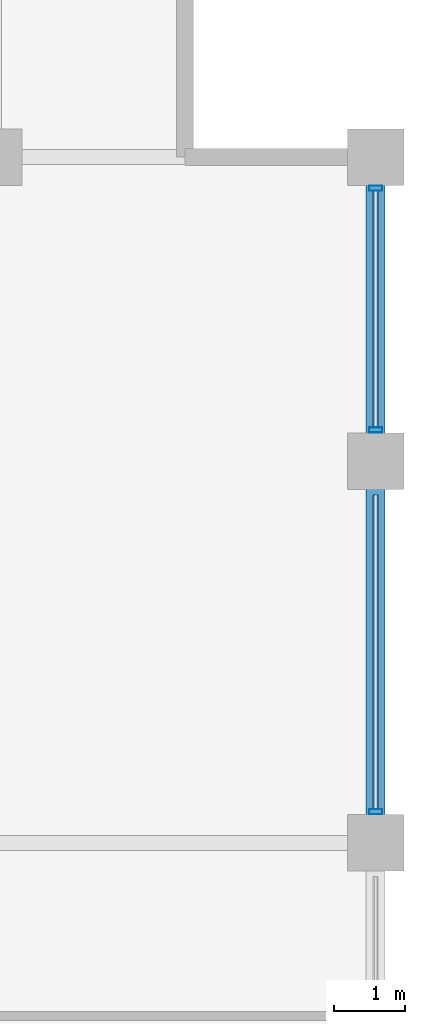
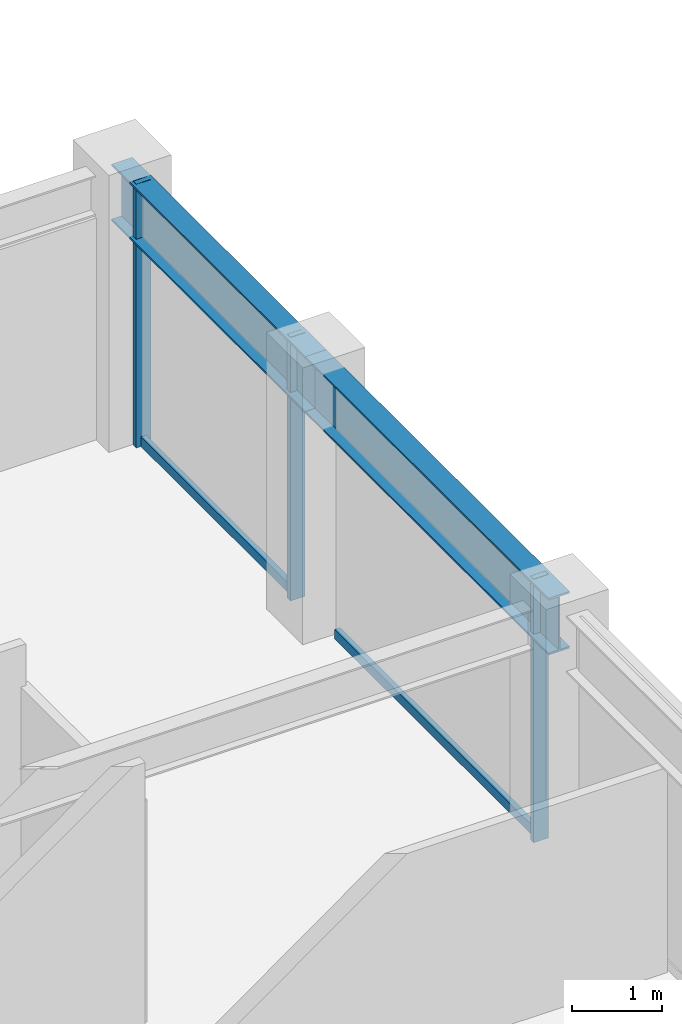
# One storey, part 25 of 32: 5 members, 2 beams, 1 element without a shape of its own.
"""IFC4 building model written with IfcOpenShell, lengths in metres."""

import ifcopenshell
import ifcopenshell.guid

model = None  # the IFC model being written
_history = None  # IfcOwnerHistory: only IFC2X3 demands one
_inside = {}  # id of a spatial element -> (the spatial element, [elements in it])
_under = {}  # id of a project, library or spatial element -> (it, [spatial elements below it])
_declared = {}  # id of a project -> (the project, [libraries it declares])
_typed = {}  # id of a type object -> (the type object, [elements of that type])
_made_of = {}  # id of a material, layer set ... -> (it, [elements and type objects made of it])


def new_model(schema):
    """Start an empty IFC model of exactly this schema.

    Asked for "IFC4X3", IfcOpenShell would pick the latest addendum, in which some entities
    have other attributes; the version numbers below select the first issue.
    IFC2X3 requires an IfcOwnerHistory on every rooted entity: one is made here for all.
    """
    global model, _history
    if schema == "IFC4X3":
        model = ifcopenshell.file(schema_version=(4, 3, 0, 0))
    else:
        model = ifcopenshell.file(schema=schema)
    _inside.clear()
    _under.clear()
    _declared.clear()
    _typed.clear()
    _made_of.clear()
    _history = None
    if model.schema == "IFC2X3":
        org = make("IfcOrganization", Name="unknown")
        user = make(
            "IfcPersonAndOrganization",
            ThePerson=make("IfcPerson", FamilyName="unknown"),
            TheOrganization=org,
        )
        app = make(
            "IfcApplication",
            ApplicationDeveloper=org,
            Version="unknown",
            ApplicationFullName="unknown",
            ApplicationIdentifier="unknown",
        )
        _history = make(
            "IfcOwnerHistory",
            OwningUser=user,
            OwningApplication=app,
            ChangeAction="ADDED",
            CreationDate=0,
        )
    return model


def make(cls, **values):
    """One entity of the class cls with the attributes given. An attribute that is None is left unset."""
    return model.create_entity(
        cls, **{name: value for name, value in values.items() if value is not None}
    )


def rooted(cls, **values):
    """An entity with a GlobalId (a new one), such as an element, a storey or a relation."""
    return make(cls, GlobalId=ifcopenshell.guid.new(), OwnerHistory=_history, **values)


def si_unit(unit_type, name, prefix=None):
    """IfcSIUnit, for example si_unit("LENGTHUNIT", "METRE", prefix="MILLI")."""
    return make("IfcSIUnit", UnitType=unit_type, Prefix=prefix, Name=name)


def assignment(units):
    """IfcUnitAssignment: the units of a project."""
    return None if units is None else make("IfcUnitAssignment", Units=units)


def point(xyz):
    """IfcCartesianPoint."""
    return None if xyz is None else make("IfcCartesianPoint", Coordinates=xyz)


def direction(xyz):
    """IfcDirection."""
    return None if xyz is None else make("IfcDirection", DirectionRatios=xyz)


def frame(location, z_axis=None, x_axis=None):
    """IfcAxis2Placement3D, a coordinate frame: its origin and axes. An axis left out is left unset."""
    return make(
        "IfcAxis2Placement3D",
        Location=point(location),
        Axis=direction(z_axis),
        RefDirection=direction(x_axis),
    )


def frame_2d(location, x_axis=None):
    """IfcAxis2Placement2D, a coordinate frame in the plane: its origin and x axis."""
    return make(
        "IfcAxis2Placement2D", Location=point(location), RefDirection=direction(x_axis)
    )


def origin():
    """The frame at (0, 0, 0) with its axes left unset."""
    return frame((0.0, 0.0, 0.0))


def origin_2d():
    """The frame at (0, 0) in the plane with its x axis left unset."""
    return frame_2d((0.0, 0.0))


def place(relative_to, where):
    """IfcLocalPlacement: puts the frame where relative to a parent placement (None: the world)."""
    return make(
        "IfcLocalPlacement", PlacementRelTo=relative_to, RelativePlacement=where
    )


def context(
    kind, dimensions, precision=None, world=None, true_north=None, identifier=None
):
    """IfcGeometricRepresentationContext, for example the 3D "Model" context."""
    return make(
        "IfcGeometricRepresentationContext",
        ContextIdentifier=identifier,
        ContextType=kind,
        CoordinateSpaceDimension=dimensions,
        Precision=precision,
        WorldCoordinateSystem=world,
        TrueNorth=true_north,
    )


def subcontext(parent, identifier, kind, view, scale=None):
    """IfcGeometricRepresentationSubContext, for example "Body" below "Model"."""
    return make(
        "IfcGeometricRepresentationSubContext",
        ContextIdentifier=identifier,
        ContextType=kind,
        ParentContext=parent,
        TargetScale=scale,
        TargetView=view,
    )


def project(units=None, contexts=None):
    """IfcProject with its units and contexts."""
    return rooted(
        "IfcProject",
        Name="project",
        RepresentationContexts=contexts,
        UnitsInContext=assignment(units),
    )


def spatial(cls, under=None, at=None, **own):
    """A site, building, storey or space (cls), placed at a placement, below another one or the project."""
    s = rooted(cls, ObjectPlacement=at, **own)
    if under is not None:
        _under.setdefault(under.id(), (under, []))[1].append(s)
    return s


def profile(cls, at=None, kind="AREA", **sizes):
    """A parametric profile (cls). Its sizes go by their IFC names, for example OverallWidth=200.0."""
    return make(cls, ProfileType=kind, Position=at, **sizes)


def hollow_rectangle(**sizes):
    """IfcRectangleHollowProfileDef."""
    return profile("IfcRectangleHollowProfileDef", **sizes)


def i_section(**sizes):
    """IfcIShapeProfileDef."""
    return profile("IfcIShapeProfileDef", **sizes)


def extrude(swept, where, along, depth):
    """IfcExtrudedAreaSolid: the profile swept, set in the frame where, extruded along a direction by depth."""
    return make(
        "IfcExtrudedAreaSolid",
        SweptArea=swept,
        Position=where,
        ExtrudedDirection=direction(along),
        Depth=depth,
    )


def shape(context_of_items, identifier, shape_type, items):
    """IfcShapeRepresentation: the items that make up one representation, for example the "Body"."""
    return make(
        "IfcShapeRepresentation",
        ContextOfItems=context_of_items,
        RepresentationIdentifier=identifier,
        RepresentationType=shape_type,
        Items=items,
    )


def material(Name=None, Category=None):
    """IfcMaterial."""
    return make("IfcMaterial", Name=Name, Category=Category)


def layer(
    of_material, thickness, ventilated=None, Name=None, Category=None, Priority=None
):
    """IfcMaterialLayer: one layer of a wall or slab, of a material (None: an air gap)."""
    return make(
        "IfcMaterialLayer",
        Material=of_material,
        LayerThickness=thickness,
        IsVentilated=ventilated,
        Name=Name,
        Category=Category,
        Priority=Priority,
    )


def layer_set(layers, Name=None):
    """IfcMaterialLayerSet."""
    return make("IfcMaterialLayerSet", MaterialLayers=layers, LayerSetName=Name)


def material_profile(
    of_material, cross_section, Name=None, Category=None, Priority=None
):
    """IfcMaterialProfile: a cross section and its material."""
    return make(
        "IfcMaterialProfile",
        Name=Name,
        Material=of_material,
        Profile=cross_section,
        Priority=Priority,
        Category=Category,
    )


def profile_set(profiles, Name=None, composite=None):
    """IfcMaterialProfileSet."""
    return make(
        "IfcMaterialProfileSet",
        Name=Name,
        MaterialProfiles=profiles,
        CompositeProfile=composite,
    )


def made_of(thing, what):
    """Note that an element or type object is made of a material, layer set ...; save() writes the relation."""
    if what is not None:
        _made_of.setdefault(what.id(), (what, []))[1].append(thing)
    return thing


def type_object(cls, material=None, **own):
    """A type object (cls), such as IfcWallType, which elements share."""
    return made_of(rooted(cls, **own), material)


def element(
    cls,
    number,
    at=None,
    inside=None,
    cuts=None,
    type_object=None,
    material=None,
    context=None,
    identifier="Body",
    shape_type=None,
    held_by="IfcProductDefinitionShape",
    body=None,
    shapes=None,
    **own,
):
    """One element of the class cls, such as IfcWall. Its Tag is "e" and its number.

    at: its placement. inside: the storey or other place that contains it. cuts: it is an
    opening in that element (IfcRelVoidsElement). A single representation is given by context,
    identifier, shape_type and body (its items); several are given by shapes. held_by: the class
    of the entity that holds the representations. save() writes the other relations.
    """
    e = rooted(cls, Tag="e%d" % number, ObjectPlacement=at, **own)
    if body is not None:
        shapes = [shape(context, identifier, shape_type, body)]
    if shapes is not None:
        e.Representation = make(held_by, Representations=shapes)
    if inside is not None:
        _inside.setdefault(inside.id(), (inside, []))[1].append(e)
    if cuts is not None:
        rooted(
            "IfcRelVoidsElement", RelatingBuildingElement=cuts, RelatedOpeningElement=e
        )
    if type_object is not None:
        _typed.setdefault(type_object.id(), (type_object, []))[1].append(e)
    return made_of(e, material)


def aggregate(whole, parts):
    """IfcRelAggregates: a whole, such as a stair, and the parts it consists of."""
    return rooted("IfcRelAggregates", RelatingObject=whole, RelatedObjects=parts)


def save(model, path):
    """Write the relations noted so far, then the file.

    IfcRelAggregates (storeys below a building ...), IfcRelContainedInSpatialStructure (elements
    in a storey), IfcRelDefinesByType, IfcRelAssociatesMaterial and IfcRelDeclares: one each for
    every whole, place, type object, material and project.
    """
    for whole, parts in _under.values():
        aggregate(whole, parts)
    for where, things in _inside.values():
        rooted(
            "IfcRelContainedInSpatialStructure",
            RelatedElements=things,
            RelatingStructure=where,
        )
    for kind, things in _typed.values():
        rooted("IfcRelDefinesByType", RelatedObjects=things, RelatingType=kind)
    for what, things in _made_of.values():
        rooted("IfcRelAssociatesMaterial", RelatedObjects=things, RelatingMaterial=what)
    for by, libraries in _declared.values():
        rooted("IfcRelDeclares", RelatingContext=by, RelatedDefinitions=libraries)
    model.write(path)


model = new_model("IFC4")

# Units and contexts
model_context = context("Model", 3, precision=1e-05, world=origin(), true_north=direction((0.0, 1.0)))
body_context = subcontext(model_context, "Body", "Model", "MODEL_VIEW")
ifc_project = project(units=[si_unit("LENGTHUNIT", "METRE"), si_unit("AREAUNIT", "SQUARE_METRE"), si_unit("VOLUMEUNIT", "CUBIC_METRE"), si_unit("PLANEANGLEUNIT", "RADIAN"), si_unit("MASSUNIT", "GRAM", prefix="KILO")], contexts=[model_context])

# Site, building, storey
site_placement = place(None, origin())
site = spatial("IfcSite", under=ifc_project, at=site_placement, CompositionType="ELEMENT")
building_placement = place(site_placement, origin())
building = spatial("IfcBuilding", under=site, at=building_placement, Name="Surkhivell Harbour Commons", CompositionType="ELEMENT")
storey_placement = place(building_placement, frame((0.0, 0.0, 223.5)))
storey = spatial("IfcBuildingStorey", under=building, at=storey_placement, Name="L58", CompositionType="ELEMENT", Elevation=223.5)

# Beams
ifc_material_1 = material(Name="Steel S355", Category="steel")
ifc_material_profile_1 = material_profile(ifc_material_1, i_section(OverallWidth=0.26806640625, OverallDepth=0.77001953125, WebThickness=0.015625, FlangeThickness=0.025390625, at=origin_2d()), Name="UB762x267x197")
ifc_profile_set_1 = profile_set([ifc_material_profile_1], Name="Steel S355")
beam_type = type_object("IfcBeamType", Name="BM-SPN-762", PredefinedType="SPANDREL", material=ifc_profile_set_1)
beam_1_placement = place(storey_placement, frame((21.60009765625, 10.800048828125, 3.18505859375), z_axis=(0.0, 1.0, 0.0), x_axis=(-1.0, 0.0, 0.0)))
element("IfcBeam", 1, at=beam_1_placement, inside=storey, type_object=beam_type, Name="L58 Tube Spandrel (21.6,10.8)", PredefinedType="SPANDREL", context=body_context, shape_type="SweptSolid", body=[
    extrude(i_section(OverallWidth=0.26806640625, OverallDepth=0.77001953125, WebThickness=0.015625, FlangeThickness=0.025390625, at=origin_2d()), origin(), (0.0, 0.0, 1.0), 5.39990234375),
])
beam_2_placement = place(storey_placement, frame((21.60009765625, 16.199951171875, 3.18505859375), z_axis=(0.0, 1.0, 0.0), x_axis=(-1.0, 0.0, 0.0)))
element("IfcBeam", 2, at=beam_2_placement, inside=storey, type_object=beam_type, Name="L58 Tube Spandrel (21.6,16.2)", PredefinedType="SPANDREL", context=body_context, shape_type="SweptSolid", body=[
    extrude(i_section(OverallWidth=0.26806640625, OverallDepth=0.77001953125, WebThickness=0.015625, FlangeThickness=0.025390625, at=origin_2d()), origin(), (0.0, 0.0, 1.0), 4.300048828125),
])

# Curtain wall, members
ifc_material_2 = material(Name="Anodised pale-metal aluminium and insulated glazing", Category="aluminium")
ifc_layer = layer(ifc_material_2, 0.18994140625)
ifc_layer_set = layer_set([ifc_layer], Name="Anodised pale-metal aluminium and insulated glazing")
curtain_wall_type = type_object("IfcCurtainWallType", Name="CW-SYS-Z3", PredefinedType="NOTDEFINED", material=ifc_layer_set)
curtain_wall_placement = place(storey_placement, origin())
curtain_wall = element("IfcCurtainWall", 3, at=curtain_wall_placement, inside=storey, type_object=curtain_wall_type, Name="L58 Curtain Wall CW-L58-E02", PredefinedType="NOTDEFINED")
ifc_material_3 = material(Name="Anodised pale-metal aluminium alloy 6063-T6", Category="aluminium")
ifc_material_profile_2 = material_profile(ifc_material_3, hollow_rectangle(XDim=0.074951171875, YDim=0.18994140625, WallThickness=0.00390625, at=origin_2d()), Name="ALU-MULL-75x190")
ifc_profile_set_2 = profile_set([ifc_material_profile_2], Name="Anodised pale-metal aluminium alloy 6063-T6")
member_type_1 = type_object("IfcMemberType", Name="CWM-190", PredefinedType="MULLION", material=ifc_profile_set_2)
member_1_placement = place(storey_placement, frame((21.60009765625, 11.239501953125, 0.0), z_axis=(0.0, 0.0, 1.0), x_axis=(0.0, 1.0, 0.0)))
member_1 = element("IfcMember", 4, at=member_1_placement, type_object=member_type_1, Name="CW-Z3 mullion 4", PredefinedType="MULLION", context=body_context, shape_type="SweptSolid", body=[
    extrude(hollow_rectangle(XDim=0.074951171875, YDim=0.18994140625, WallThickness=0.00390625, at=origin_2d()), origin(), (0.0, 0.0, 1.0), 3.570068359375),
])
member_2_placement = place(storey_placement, frame((21.60009765625, 16.639404296875, 0.0), z_axis=(0.0, 0.0, 1.0), x_axis=(0.0, 1.0, 0.0)))
member_2 = element("IfcMember", 5, at=member_2_placement, type_object=member_type_1, Name="CW-Z3 mullion 5", PredefinedType="MULLION", context=body_context, shape_type="SweptSolid", body=[
    extrude(hollow_rectangle(XDim=0.074951171875, YDim=0.18994140625, WallThickness=0.00390625, at=origin_2d()), origin(), (0.0, 0.0, 1.0), 3.570068359375),
])
member_3_placement = place(storey_placement, frame((21.60009765625, 20.060546875, 0.0), z_axis=(0.0, 0.0, 1.0), x_axis=(0.0, 1.0, 0.0)))
member_3 = element("IfcMember", 6, at=member_3_placement, type_object=member_type_1, Name="CW-Z3 mullion 6", PredefinedType="MULLION", context=body_context, shape_type="SweptSolid", body=[
    extrude(hollow_rectangle(XDim=0.074951171875, YDim=0.18994140625, WallThickness=0.00390625, at=origin_2d()), origin(), (0.0, 0.0, 1.0), 3.570068359375),
])
ifc_material_4 = material(Name="Champagne anodised aluminium alloy 6063-T6", Category="aluminium")
ifc_material_profile_3 = material_profile(ifc_material_4, hollow_rectangle(XDim=0.070068359375, YDim=0.1298828125, WallThickness=0.00341796875, at=origin_2d()), Name="ALU-TRAN-70x130")
ifc_profile_set_3 = profile_set([ifc_material_profile_3], Name="Champagne anodised aluminium alloy 6063-T6")
member_type_2 = type_object("IfcMemberType", Name="CWT-130", PredefinedType="USERDEFINED", material=ifc_profile_set_3)
member_4_placement = place(storey_placement, frame((21.60009765625, 11.277099609375, 0.06494140625), z_axis=(0.0, 1.0, 0.0), x_axis=(-1.0, 0.0, 0.0)))
member_4 = element("IfcMember", 7, at=member_4_placement, type_object=member_type_2, Name="CW-Z3 transom 4.1", ObjectType="TRANSOM", PredefinedType="USERDEFINED", context=body_context, shape_type="SweptSolid", body=[
    extrude(hollow_rectangle(XDim=0.070068359375, YDim=0.1298828125, WallThickness=0.00341796875, at=origin_2d()), origin(), (0.0, 0.0, 1.0), 4.44580078125),
])
member_5_placement = place(storey_placement, frame((21.60009765625, 16.677001953125, 0.06494140625), z_axis=(0.0, 1.0, 0.0), x_axis=(-1.0, 0.0, 0.0)))
member_5 = element("IfcMember", 8, at=member_5_placement, type_object=member_type_2, Name="CW-Z3 transom 5.1", ObjectType="TRANSOM", PredefinedType="USERDEFINED", context=body_context, shape_type="SweptSolid", body=[
    extrude(hollow_rectangle(XDim=0.070068359375, YDim=0.1298828125, WallThickness=0.00341796875, at=origin_2d()), origin(), (0.0, 0.0, 1.0), 3.345947265625),
])
aggregate(curtain_wall, [member_1, member_4, member_2, member_3, member_5])

save(model, "model.ifc")
